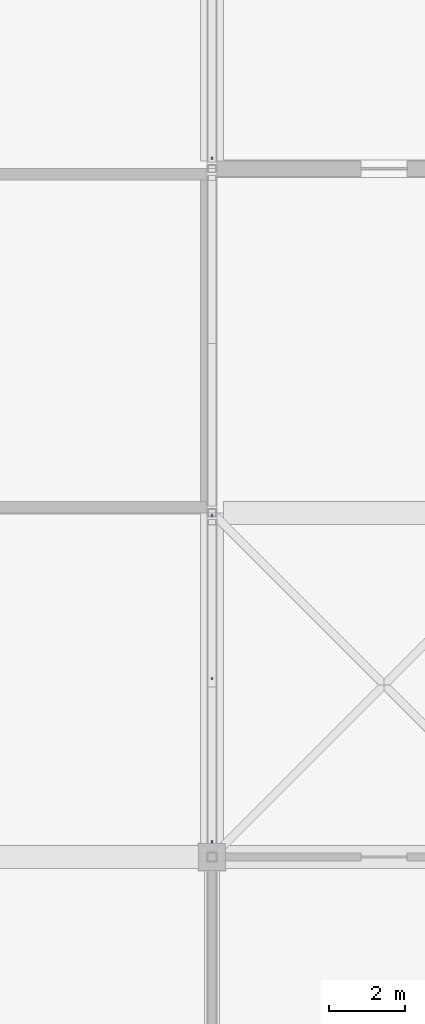
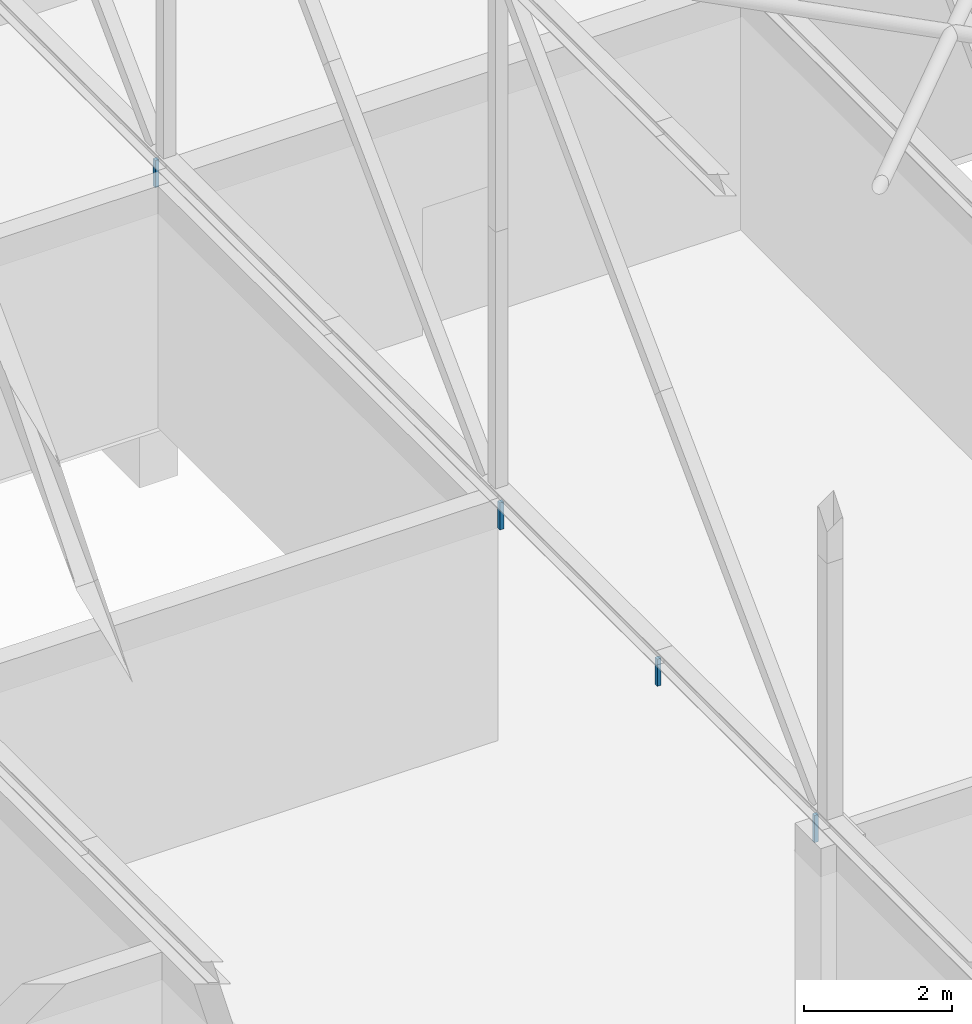
# One storey, part 203 of 646: 4 discrete accessories.
"""IFC4 building model written with IfcOpenShell, lengths in metres."""

from ifc_helpers import new_model, si_unit, direction, frame, origin, origin_2d, place, context, subcontext, project, spatial, rectangle, extrude, material, type_object, element, save


model = new_model("IFC4")

# Units and contexts
model_context = context("Model", 3, precision=1e-05, world=origin(), true_north=direction((0.0, 1.0)))
body_context = subcontext(model_context, "Body", "Model", "MODEL_VIEW")
ifc_project = project(units=[si_unit("LENGTHUNIT", "METRE"), si_unit("AREAUNIT", "SQUARE_METRE"), si_unit("VOLUMEUNIT", "CUBIC_METRE"), si_unit("PLANEANGLEUNIT", "RADIAN"), si_unit("MASSUNIT", "GRAM", prefix="KILO")], contexts=[model_context])

# Site, building, storey
site_placement = place(None, origin())
site = spatial("IfcSite", under=ifc_project, at=site_placement, CompositionType="ELEMENT")
building_placement = place(site_placement, origin())
building = spatial("IfcBuilding", under=site, at=building_placement, Name="Silverbay Arena", CompositionType="ELEMENT")
storey_placement = place(building_placement, frame((0.0, 0.0, 33.5)))
storey = spatial("IfcBuildingStorey", under=building, at=storey_placement, Name="L05", CompositionType="ELEMENT", Elevation=33.5)

# Discrete accessories
ifc_material = material(Name="Steel S355", Category="steel")
discrete_accessory_type = type_object("IfcDiscreteAccessoryType", Name="Ceiling hanger", PredefinedType="BRACKET", material=ifc_material)
for number, where, z_axis, x_axis, name in (
    (1, (90.0, 126.27001953125, 3.5498046875), (0.0, 0.0, 1.0), (1.0, 0.0, 0.0), "Ceiling hanger"),
    (2, (90.0, 108.39990234375, 3.5498046875), (0.0, 0.0, 1.0), (1.0, 0.0, 0.0), "Ceiling hanger"),
    (3, (90.0, 112.6650390625, 3.5498046875), (0.0, 0.0, 1.0), (1.0, 0.0, 0.0), "Ceiling hanger"),
    (4, (90.0, 116.929931640625, 3.5498046875), (0.0, 0.0, 1.0), (1.0, 0.0, 0.0), "Ceiling hanger"),
):
    element("IfcDiscreteAccessory", number, at=place(storey_placement, frame(where, z_axis=z_axis, x_axis=x_axis)), inside=storey, type_object=discrete_accessory_type, Name=name, PredefinedType="BRACKET", context=body_context, shape_type="SweptSolid", body=[
        extrude(rectangle(XDim=0.06005859375, YDim=0.06005859375, at=origin_2d()), origin(), (0.0, 0.0, 1.0), 0.449951171875),
    ])

save(model, "model.ifc")
